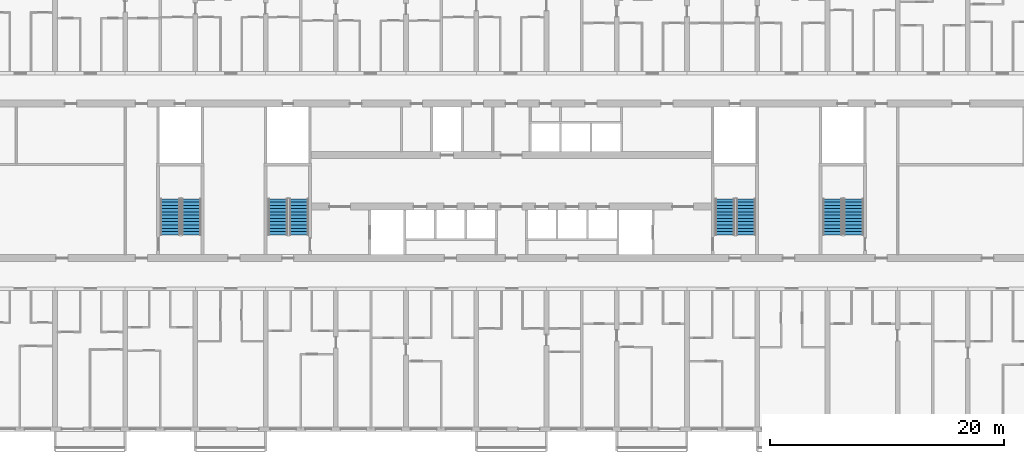
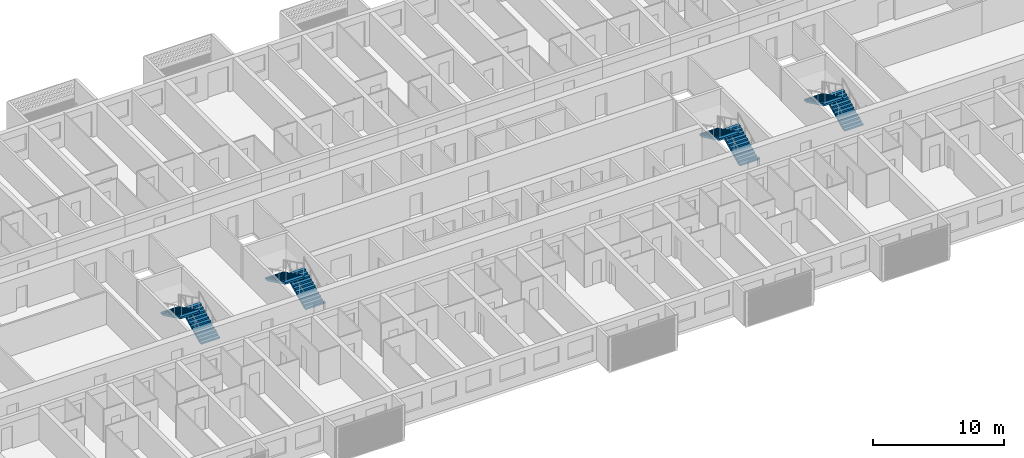
# One storey, part 18 of 40: 8 stair flights, 4 elements without a shape of their own.
"""IFC4 building model written with IfcOpenShell, lengths in metres."""

from ifc_helpers import new_model, si_unit, direction, frame, origin, place, context, subcontext, project, spatial, polyline, outline, extrude, material, layer, layer_set, type_object, element, aggregate, save


model = new_model("IFC4")

# Units and contexts
model_context = context("Model", 3, precision=1e-05, world=origin(), true_north=direction((0.0, 1.0)))
body_context = subcontext(model_context, "Body", "Model", "MODEL_VIEW")
ifc_project = project(units=[si_unit("LENGTHUNIT", "METRE"), si_unit("AREAUNIT", "SQUARE_METRE"), si_unit("VOLUMEUNIT", "CUBIC_METRE"), si_unit("PLANEANGLEUNIT", "RADIAN"), si_unit("MASSUNIT", "GRAM", prefix="KILO")], contexts=[model_context])

# Site, building, storey
site_placement = place(None, origin())
site = spatial("IfcSite", under=ifc_project, at=site_placement, CompositionType="ELEMENT")
building_placement = place(site_placement, origin())
building = spatial("IfcBuilding", under=site, at=building_placement, Name="Poui Terraces", CompositionType="ELEMENT")
storey_placement = place(building_placement, frame((0.0, 0.0, 36.60009765625)))
storey = spatial("IfcBuildingStorey", under=building, at=storey_placement, Name="L09", CompositionType="ELEMENT", Elevation=36.60009765625)

# Stair, stair flights
ifc_material = material(Name="Concrete 80 MPa", Category="concrete")
stair_type = type_object("IfcStairType", Name="EXIT STAIR 1650 80 MPA", PredefinedType="HALF_TURN_STAIR", material=ifc_material)
stair_1_placement = place(storey_placement, origin())
stair_1 = element("IfcStair", 1, at=stair_1_placement, inside=storey, type_object=stair_type, Name="L09 CORE STAIR EAST", PredefinedType="HALF_TURN_STAIR")
ifc_layer = layer(ifc_material, 0.14990234375)
ifc_layer_set = layer_set([ifc_layer], Name="Concrete 80 MPa")
stair_flight_type = type_object("IfcStairFlightType", Name="STAIR FLIGHT 12 RISERS 138 RISE 80 MPA", PredefinedType="STRAIGHT", material=ifc_layer_set)
stair_flight_1_placement = place(storey_placement, frame((71.050048828125, 16.60009765625, 0.0), z_axis=(0.0, 0.0, 1.0), x_axis=(0.0, 1.0, 0.0)))
stair_flight_1 = element("IfcStairFlight", 2, at=stair_flight_1_placement, type_object=stair_flight_type, Name="ST-CE flight 1", NumberOfRisers=12, NumberOfTreads=11, PredefinedType="STRAIGHT", RiserHeight=0.1375, TreadLength=0.28, context=body_context, shape_type="SweptSolid", body=[
    extrude(outline(polyline([(0.0, 0.0), (0.0, 0.137451171875), (0.280029296875, 0.137451171875), (0.280029296875, 0.27490234375), (0.56005859375, 0.27490234375), (0.56005859375, 0.41259765625), (0.840087890625, 0.41259765625), (0.840087890625, 0.550048828125), (1.1201171875, 0.550048828125), (1.1201171875, 0.6875), (1.39990234375, 0.6875), (1.39990234375, 0.824951171875), (1.679931640625, 0.824951171875), (1.679931640625, 0.96240234375), (1.9599609375, 0.96240234375), (1.9599609375, 1.10009765625), (2.239990234375, 1.10009765625), (2.239990234375, 1.237548828125), (2.52001953125, 1.237548828125), (2.52001953125, 1.375), (2.800048828125, 1.375), (2.800048828125, 1.512451171875), (3.080078125, 1.512451171875), (3.080078125, 1.64990234375), (3.080078125, 1.345458984375), (0.340087890625, 0.0), (0.0, 0.0)])), frame((0.0, 0.824951171875, 0.0), z_axis=(0.0, -1.0, 0.0), x_axis=(1.0, 0.0, 0.0)), (0.0, 0.0, 1.0), 1.64990234375),
])
stair_flight_2_placement = place(storey_placement, frame((69.25, 19.679931640625, 1.64990234375), z_axis=(0.0, 0.0, 1.0), x_axis=(0.0, -1.0, 0.0)))
stair_flight_2 = element("IfcStairFlight", 3, at=stair_flight_2_placement, type_object=stair_flight_type, Name="ST-CE flight 2", NumberOfRisers=12, NumberOfTreads=11, PredefinedType="STRAIGHT", RiserHeight=0.1375, TreadLength=0.28, context=body_context, shape_type="SweptSolid", body=[
    extrude(outline(polyline([(0.0, 0.0), (0.0, 0.137451171875), (0.280029296875, 0.137451171875), (0.280029296875, 0.27490234375), (0.56005859375, 0.27490234375), (0.56005859375, 0.41259765625), (0.840087890625, 0.41259765625), (0.840087890625, 0.550048828125), (1.1201171875, 0.550048828125), (1.1201171875, 0.6875), (1.39990234375, 0.6875), (1.39990234375, 0.824951171875), (1.679931640625, 0.824951171875), (1.679931640625, 0.96240234375), (1.9599609375, 0.96240234375), (1.9599609375, 1.10009765625), (2.239990234375, 1.10009765625), (2.239990234375, 1.237548828125), (2.52001953125, 1.237548828125), (2.52001953125, 1.375), (2.800048828125, 1.375), (2.800048828125, 1.512451171875), (3.080078125, 1.512451171875), (3.080078125, 1.64990234375), (3.080078125, 1.345458984375), (0.340087890625, 0.0), (0.0, 0.0)])), frame((0.0, 0.824951171875, 0.0), z_axis=(0.0, -1.0, 0.0), x_axis=(1.0, 0.0, 0.0)), (0.0, 0.0, 1.0), 1.64990234375),
])
aggregate(stair_1, [stair_flight_1, stair_flight_2])

stair_2_placement = place(storey_placement, origin())
stair_2 = element("IfcStair", 4, at=stair_2_placement, inside=storey, type_object=stair_type, Name="L09 CORE STAIR WEST", PredefinedType="HALF_TURN_STAIR")
stair_flight_3_placement = place(storey_placement, frame((32.85009765625, 16.60009765625, 0.0), z_axis=(0.0, 0.0, 1.0), x_axis=(0.0, 1.0, 0.0)))
stair_flight_3 = element("IfcStairFlight", 5, at=stair_flight_3_placement, type_object=stair_flight_type, Name="ST-CW flight 1", NumberOfRisers=12, NumberOfTreads=11, PredefinedType="STRAIGHT", RiserHeight=0.1375, TreadLength=0.28, context=body_context, shape_type="SweptSolid", body=[
    extrude(outline(polyline([(0.0, 0.0), (0.0, 0.137451171875), (0.280029296875, 0.137451171875), (0.280029296875, 0.27490234375), (0.56005859375, 0.27490234375), (0.56005859375, 0.41259765625), (0.840087890625, 0.41259765625), (0.840087890625, 0.550048828125), (1.1201171875, 0.550048828125), (1.1201171875, 0.6875), (1.39990234375, 0.6875), (1.39990234375, 0.824951171875), (1.679931640625, 0.824951171875), (1.679931640625, 0.96240234375), (1.9599609375, 0.96240234375), (1.9599609375, 1.10009765625), (2.239990234375, 1.10009765625), (2.239990234375, 1.237548828125), (2.52001953125, 1.237548828125), (2.52001953125, 1.375), (2.800048828125, 1.375), (2.800048828125, 1.512451171875), (3.080078125, 1.512451171875), (3.080078125, 1.64990234375), (3.080078125, 1.345458984375), (0.340087890625, 0.0), (0.0, 0.0)])), frame((0.0, 0.824951171875, 0.0), z_axis=(0.0, -1.0, 0.0), x_axis=(1.0, 0.0, 0.0)), (0.0, 0.0, 1.0), 1.64990234375),
])
stair_flight_4_placement = place(storey_placement, frame((31.050048828125, 19.679931640625, 1.64990234375), z_axis=(0.0, 0.0, 1.0), x_axis=(0.0, -1.0, 0.0)))
stair_flight_4 = element("IfcStairFlight", 6, at=stair_flight_4_placement, type_object=stair_flight_type, Name="ST-CW flight 2", NumberOfRisers=12, NumberOfTreads=11, PredefinedType="STRAIGHT", RiserHeight=0.1375, TreadLength=0.28, context=body_context, shape_type="SweptSolid", body=[
    extrude(outline(polyline([(0.0, 0.0), (0.0, 0.137451171875), (0.280029296875, 0.137451171875), (0.280029296875, 0.27490234375), (0.56005859375, 0.27490234375), (0.56005859375, 0.41259765625), (0.840087890625, 0.41259765625), (0.840087890625, 0.550048828125), (1.1201171875, 0.550048828125), (1.1201171875, 0.6875), (1.39990234375, 0.6875), (1.39990234375, 0.824951171875), (1.679931640625, 0.824951171875), (1.679931640625, 0.96240234375), (1.9599609375, 0.96240234375), (1.9599609375, 1.10009765625), (2.239990234375, 1.10009765625), (2.239990234375, 1.237548828125), (2.52001953125, 1.237548828125), (2.52001953125, 1.375), (2.800048828125, 1.375), (2.800048828125, 1.512451171875), (3.080078125, 1.512451171875), (3.080078125, 1.64990234375), (3.080078125, 1.345458984375), (0.340087890625, 0.0), (0.0, 0.0)])), frame((0.0, 0.824951171875, 0.0), z_axis=(0.0, -1.0, 0.0), x_axis=(1.0, 0.0, 0.0)), (0.0, 0.0, 1.0), 1.64990234375),
])
aggregate(stair_2, [stair_flight_3, stair_flight_4])

stair_3_placement = place(storey_placement, origin())
stair_3 = element("IfcStair", 7, at=stair_3_placement, inside=storey, type_object=stair_type, Name="L09 TIP STAIR EAST", PredefinedType="HALF_TURN_STAIR")
stair_flight_5_placement = place(storey_placement, frame((80.25, 16.60009765625, 0.0), z_axis=(0.0, 0.0, 1.0), x_axis=(0.0, 1.0, 0.0)))
stair_flight_5 = element("IfcStairFlight", 8, at=stair_flight_5_placement, type_object=stair_flight_type, Name="ST-E flight 1", NumberOfRisers=12, NumberOfTreads=11, PredefinedType="STRAIGHT", RiserHeight=0.1375, TreadLength=0.28, context=body_context, shape_type="SweptSolid", body=[
    extrude(outline(polyline([(0.0, 0.0), (0.0, 0.137451171875), (0.280029296875, 0.137451171875), (0.280029296875, 0.27490234375), (0.56005859375, 0.27490234375), (0.56005859375, 0.41259765625), (0.840087890625, 0.41259765625), (0.840087890625, 0.550048828125), (1.1201171875, 0.550048828125), (1.1201171875, 0.6875), (1.39990234375, 0.6875), (1.39990234375, 0.824951171875), (1.679931640625, 0.824951171875), (1.679931640625, 0.96240234375), (1.9599609375, 0.96240234375), (1.9599609375, 1.10009765625), (2.239990234375, 1.10009765625), (2.239990234375, 1.237548828125), (2.52001953125, 1.237548828125), (2.52001953125, 1.375), (2.800048828125, 1.375), (2.800048828125, 1.512451171875), (3.080078125, 1.512451171875), (3.080078125, 1.64990234375), (3.080078125, 1.345458984375), (0.340087890625, 0.0), (0.0, 0.0)])), frame((0.0, 0.824951171875, 0.0), z_axis=(0.0, -1.0, 0.0), x_axis=(1.0, 0.0, 0.0)), (0.0, 0.0, 1.0), 1.64990234375),
])
stair_flight_6_placement = place(storey_placement, frame((78.449951171875, 19.679931640625, 1.64990234375), z_axis=(0.0, 0.0, 1.0), x_axis=(0.0, -1.0, 0.0)))
stair_flight_6 = element("IfcStairFlight", 9, at=stair_flight_6_placement, type_object=stair_flight_type, Name="ST-E flight 2", NumberOfRisers=12, NumberOfTreads=11, PredefinedType="STRAIGHT", RiserHeight=0.1375, TreadLength=0.28, context=body_context, shape_type="SweptSolid", body=[
    extrude(outline(polyline([(0.0, 0.0), (0.0, 0.137451171875), (0.280029296875, 0.137451171875), (0.280029296875, 0.27490234375), (0.56005859375, 0.27490234375), (0.56005859375, 0.41259765625), (0.840087890625, 0.41259765625), (0.840087890625, 0.550048828125), (1.1201171875, 0.550048828125), (1.1201171875, 0.6875), (1.39990234375, 0.6875), (1.39990234375, 0.824951171875), (1.679931640625, 0.824951171875), (1.679931640625, 0.96240234375), (1.9599609375, 0.96240234375), (1.9599609375, 1.10009765625), (2.239990234375, 1.10009765625), (2.239990234375, 1.237548828125), (2.52001953125, 1.237548828125), (2.52001953125, 1.375), (2.800048828125, 1.375), (2.800048828125, 1.512451171875), (3.080078125, 1.512451171875), (3.080078125, 1.64990234375), (3.080078125, 1.345458984375), (0.340087890625, 0.0), (0.0, 0.0)])), frame((0.0, 0.824951171875, 0.0), z_axis=(0.0, -1.0, 0.0), x_axis=(1.0, 0.0, 0.0)), (0.0, 0.0, 1.0), 1.64990234375),
])
aggregate(stair_3, [stair_flight_5, stair_flight_6])

stair_4_placement = place(storey_placement, origin())
stair_4 = element("IfcStair", 10, at=stair_4_placement, inside=storey, type_object=stair_type, Name="L09 TIP STAIR WEST", PredefinedType="HALF_TURN_STAIR")
stair_flight_7_placement = place(storey_placement, frame((23.64990234375, 16.60009765625, 0.0), z_axis=(0.0, 0.0, 1.0), x_axis=(0.0, 1.0, 0.0)))
stair_flight_7 = element("IfcStairFlight", 11, at=stair_flight_7_placement, type_object=stair_flight_type, Name="ST-W flight 1", NumberOfRisers=12, NumberOfTreads=11, PredefinedType="STRAIGHT", RiserHeight=0.1375, TreadLength=0.28, context=body_context, shape_type="SweptSolid", body=[
    extrude(outline(polyline([(0.0, 0.0), (0.0, 0.137451171875), (0.280029296875, 0.137451171875), (0.280029296875, 0.27490234375), (0.56005859375, 0.27490234375), (0.56005859375, 0.41259765625), (0.840087890625, 0.41259765625), (0.840087890625, 0.550048828125), (1.1201171875, 0.550048828125), (1.1201171875, 0.6875), (1.39990234375, 0.6875), (1.39990234375, 0.824951171875), (1.679931640625, 0.824951171875), (1.679931640625, 0.96240234375), (1.9599609375, 0.96240234375), (1.9599609375, 1.10009765625), (2.239990234375, 1.10009765625), (2.239990234375, 1.237548828125), (2.52001953125, 1.237548828125), (2.52001953125, 1.375), (2.800048828125, 1.375), (2.800048828125, 1.512451171875), (3.080078125, 1.512451171875), (3.080078125, 1.64990234375), (3.080078125, 1.345458984375), (0.340087890625, 0.0), (0.0, 0.0)])), frame((0.0, 0.824951171875, 0.0), z_axis=(0.0, -1.0, 0.0), x_axis=(1.0, 0.0, 0.0)), (0.0, 0.0, 1.0), 1.64990234375),
])
stair_flight_8_placement = place(storey_placement, frame((21.85009765625, 19.679931640625, 1.64990234375), z_axis=(0.0, 0.0, 1.0), x_axis=(0.0, -1.0, 0.0)))
stair_flight_8 = element("IfcStairFlight", 12, at=stair_flight_8_placement, type_object=stair_flight_type, Name="ST-W flight 2", NumberOfRisers=12, NumberOfTreads=11, PredefinedType="STRAIGHT", RiserHeight=0.1375, TreadLength=0.28, context=body_context, shape_type="SweptSolid", body=[
    extrude(outline(polyline([(0.0, 0.0), (0.0, 0.137451171875), (0.280029296875, 0.137451171875), (0.280029296875, 0.27490234375), (0.56005859375, 0.27490234375), (0.56005859375, 0.41259765625), (0.840087890625, 0.41259765625), (0.840087890625, 0.550048828125), (1.1201171875, 0.550048828125), (1.1201171875, 0.6875), (1.39990234375, 0.6875), (1.39990234375, 0.824951171875), (1.679931640625, 0.824951171875), (1.679931640625, 0.96240234375), (1.9599609375, 0.96240234375), (1.9599609375, 1.10009765625), (2.239990234375, 1.10009765625), (2.239990234375, 1.237548828125), (2.52001953125, 1.237548828125), (2.52001953125, 1.375), (2.800048828125, 1.375), (2.800048828125, 1.512451171875), (3.080078125, 1.512451171875), (3.080078125, 1.64990234375), (3.080078125, 1.345458984375), (0.340087890625, 0.0), (0.0, 0.0)])), frame((0.0, 0.824951171875, 0.0), z_axis=(0.0, -1.0, 0.0), x_axis=(1.0, 0.0, 0.0)), (0.0, 0.0, 1.0), 1.64990234375),
])
aggregate(stair_4, [stair_flight_7, stair_flight_8])

save(model, "model.ifc")
